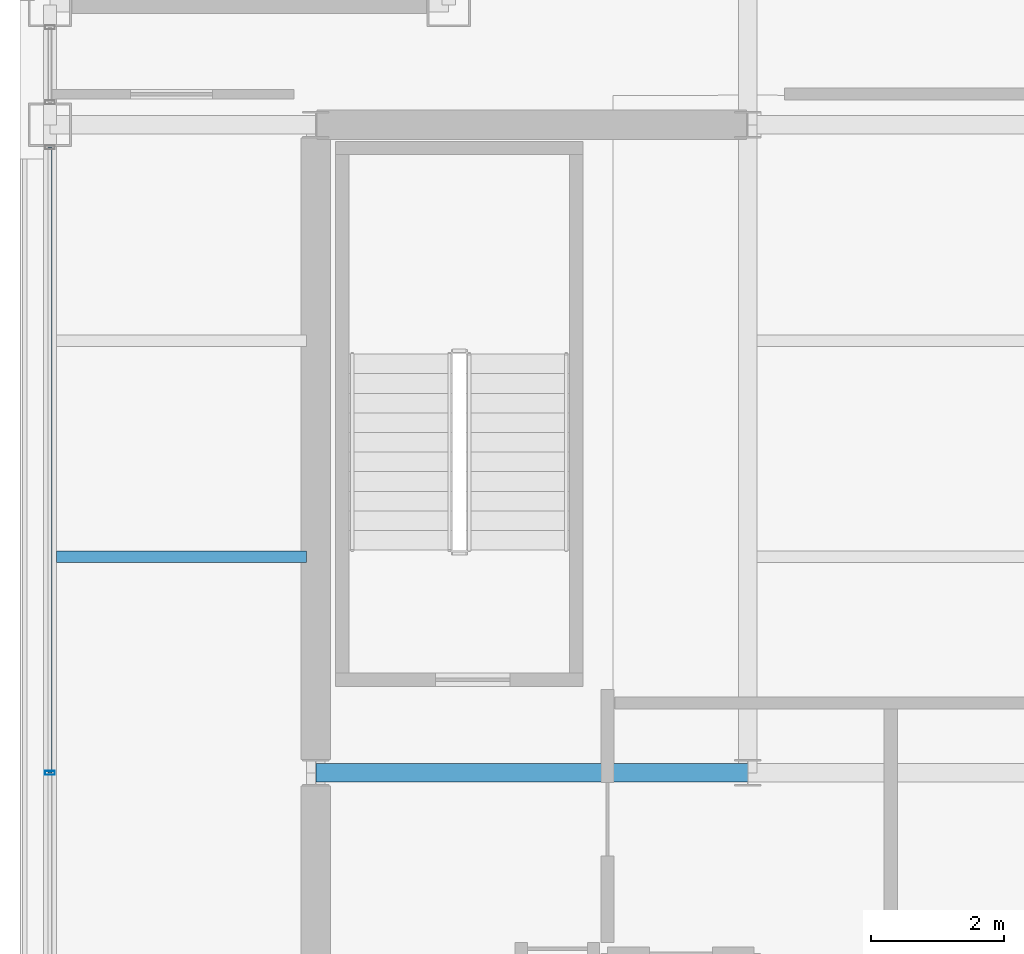
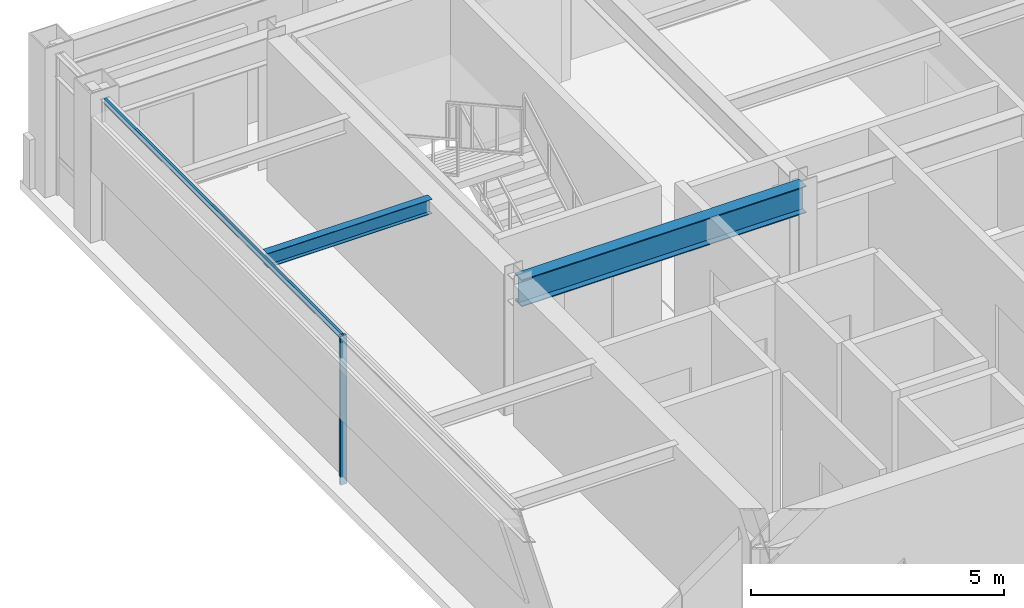
# One storey, part 7 of 24: 2 beams, 2 members, 1 element without a shape of its own.
"""IFC4 building model written with IfcOpenShell, lengths in metres."""

from ifc_helpers import new_model, si_unit, direction, frame, origin, origin_2d, place, context, subcontext, project, spatial, hollow_rectangle, i_section, extrude, material, layer, layer_set, material_profile, profile_set, type_object, element, aggregate, save


model = new_model("IFC4")

# Units and contexts
model_context = context("Model", 3, precision=1e-05, world=origin(), true_north=direction((0.0, 1.0)))
body_context = subcontext(model_context, "Body", "Model", "MODEL_VIEW")
ifc_project = project(units=[si_unit("LENGTHUNIT", "METRE"), si_unit("AREAUNIT", "SQUARE_METRE"), si_unit("VOLUMEUNIT", "CUBIC_METRE"), si_unit("PLANEANGLEUNIT", "RADIAN"), si_unit("MASSUNIT", "GRAM", prefix="KILO")], contexts=[model_context])

# Site, building, storey
site_placement = place(None, origin())
site = spatial("IfcSite", under=ifc_project, at=site_placement, CompositionType="ELEMENT")
building_placement = place(site_placement, origin())
building = spatial("IfcBuilding", under=site, at=building_placement, Name="Brelmoor Portico Tower", CompositionType="ELEMENT")
storey_placement = place(building_placement, frame((0.0, 0.0, 229.199951171875)))
storey = spatial("IfcBuildingStorey", under=building, at=storey_placement, Name="L60", CompositionType="ELEMENT", Elevation=229.199951171875)

# Beams
ifc_material_1 = material(Name="Steel Q355B", Category="steel")
ifc_material_profile_1 = material_profile(ifc_material_1, i_section(OverallWidth=0.175048828125, OverallDepth=0.35009765625, WebThickness=0.007080078125, FlangeThickness=0.010986328125, at=origin_2d()), Name="HN 350x175x7x11")
ifc_profile_set_1 = profile_set([ifc_material_profile_1], Name="Steel Q355B")
beam_type_1 = type_object("IfcBeamType", Name="BM-JS-350", PredefinedType="JOIST", material=ifc_profile_set_1)
beam_1_placement = place(storey_placement, frame((-18.449951171875, 3.25, 3.22509765625), z_axis=(1.0, 0.0, 0.0), x_axis=(0.0, 1.0, 0.0)))
element("IfcBeam", 1, at=beam_1_placement, inside=storey, type_object=beam_type_1, Name="L60 Secondary Wing Joist JS-W09", PredefinedType="JOIST", context=body_context, shape_type="SweptSolid", body=[
    extrude(i_section(OverallWidth=0.175048828125, OverallDepth=0.35009765625, WebThickness=0.007080078125, FlangeThickness=0.010986328125, at=origin_2d()), origin(), (0.0, 0.0, 1.0), 3.760009765625),
])
ifc_material_profile_2 = material_profile(ifc_material_1, i_section(OverallWidth=0.280029296875, OverallDepth=0.64990234375, WebThickness=0.012939453125, FlangeThickness=0.02197265625, at=origin_2d()), Name="HN 650x280x13x22")
ifc_profile_set_2 = profile_set([ifc_material_profile_2], Name="Steel Q355B")
beam_type_2 = type_object("IfcBeamType", Name="BM-PG-650", PredefinedType="BEAM", material=ifc_profile_set_2)
beam_2_placement = place(storey_placement, frame((-14.550048828125, 0.0, 3.074951171875), z_axis=(1.0, 0.0, 0.0), x_axis=(0.0, 1.0, 0.0)))
element("IfcBeam", 2, at=beam_2_placement, inside=storey, type_object=beam_type_2, Name="L60 Primary Floor Girder PG-16", PredefinedType="BEAM", context=body_context, shape_type="SweptSolid", body=[
    extrude(i_section(OverallWidth=0.280029296875, OverallDepth=0.64990234375, WebThickness=0.012939453125, FlangeThickness=0.02197265625, at=origin_2d()), origin(), (0.0, 0.0, 1.0), 6.5),
])

# Curtain wall, members
ifc_material_2 = material(Name="Anodised Aluminium Alloy 6063-T6", Category="aluminium")
ifc_layer = layer(ifc_material_2, 0.179931640625)
ifc_layer_set = layer_set([ifc_layer], Name="Anodised Aluminium Alloy 6063-T6")
curtain_wall_type = type_object("IfcCurtainWallType", Name="CW-TOWER-Z4-XB", PredefinedType="NOTDEFINED", material=ifc_layer_set)
curtain_wall_placement = place(storey_placement, origin())
curtain_wall = element("IfcCurtainWall", 3, at=curtain_wall_placement, inside=storey, type_object=curtain_wall_type, Name="L60 Curtain Wall CW-L60-03-2", PredefinedType="NOTDEFINED")
ifc_material_profile_3 = material_profile(ifc_material_2, hollow_rectangle(XDim=0.06005859375, YDim=0.14990234375, WallThickness=0.00390625, at=origin_2d()), Name="ALU MULLION 60x150")
ifc_profile_set_3 = profile_set([ifc_material_profile_3], Name="Anodised Aluminium Alloy 6063-T6")
member_type_1 = type_object("IfcMemberType", Name="MB-CW-MULL-150", PredefinedType="MULLION", material=ifc_profile_set_3)
member_1_placement = place(storey_placement, frame((-18.550048828125, 0.0, -0.199951171875), z_axis=(0.0, 0.0, 1.0), x_axis=(0.0, 1.0, 0.0)))
member_1 = element("IfcMember", 4, at=member_1_placement, type_object=member_type_1, Name="CW-L60-03-2 Mullion 01", PredefinedType="MULLION", context=body_context, shape_type="SweptSolid", body=[
    extrude(hollow_rectangle(XDim=0.06005859375, YDim=0.14990234375, WallThickness=0.00390625, at=origin_2d()), origin(), (0.0, 0.0, 1.0), 3.60009765625),
])
ifc_material_profile_4 = material_profile(ifc_material_2, hollow_rectangle(XDim=0.06005859375, YDim=0.125, WallThickness=0.00341796875, at=origin_2d()), Name="ALU TRANSOM 60x125")
ifc_profile_set_4 = profile_set([ifc_material_profile_4], Name="Anodised Aluminium Alloy 6063-T6")
member_type_2 = type_object("IfcMemberType", Name="MB-CW-TRAN-125", PredefinedType="USERDEFINED", material=ifc_profile_set_4)
member_2_placement = place(storey_placement, frame((-18.550048828125, 0.0, 3.337646484375), z_axis=(0.0, 1.0, 0.0), x_axis=(-1.0, 0.0, 0.0)))
member_2 = element("IfcMember", 5, at=member_2_placement, type_object=member_type_2, Name="CW-L60-03-2 Transom 1-01", ObjectType="TRANSOM", PredefinedType="USERDEFINED", context=body_context, shape_type="SweptSolid", body=[
    extrude(hollow_rectangle(XDim=0.06005859375, YDim=0.125, WallThickness=0.00341796875, at=origin_2d()), origin(), (0.0, 0.0, 1.0), 9.4150390625),
])
aggregate(curtain_wall, [member_1, member_2])

save(model, "model.ifc")
